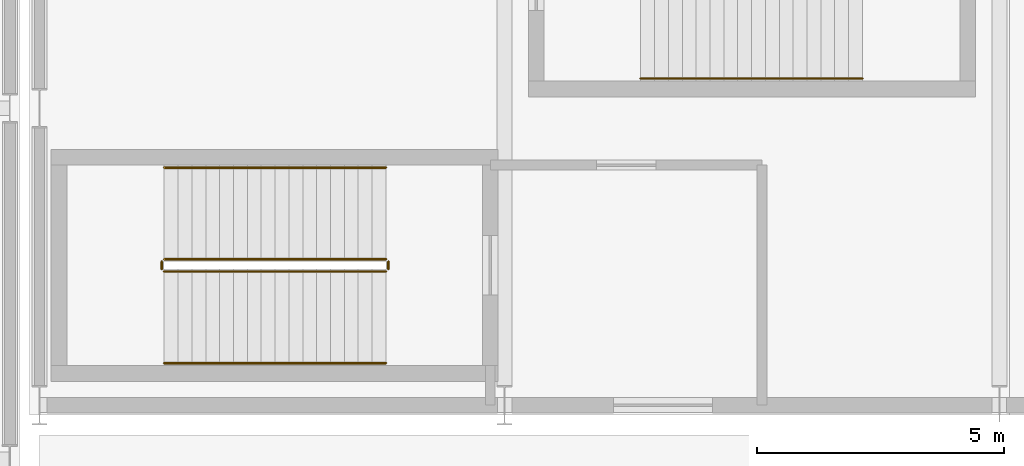
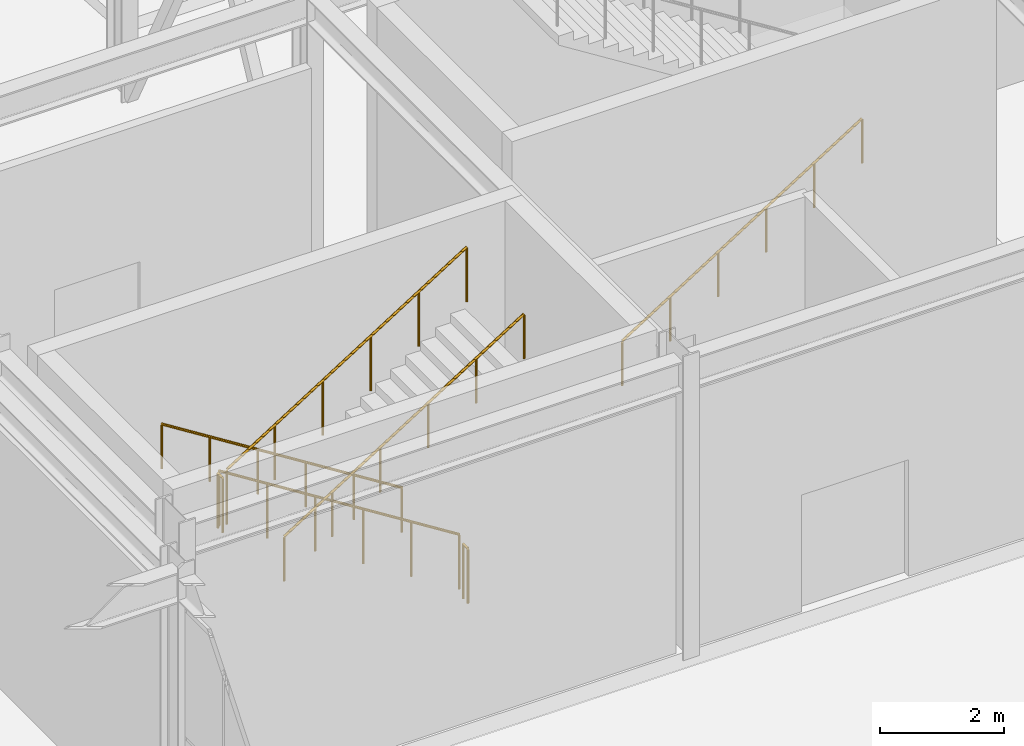
# One storey, part 142 of 146: 7 railings.
"""IFC4 building model written with IfcOpenShell, lengths in metres."""

from ifc_helpers import new_model, si_unit, direction, frame, origin, origin_2d, place, context, subcontext, project, spatial, circle, extrude, material, type_object, element, save


model = new_model("IFC4")

# Units and contexts
model_context = context("Model", 3, precision=1e-05, world=origin(), true_north=direction((0.0, 1.0)))
body_context = subcontext(model_context, "Body", "Model", "MODEL_VIEW")
ifc_project = project(units=[si_unit("LENGTHUNIT", "METRE"), si_unit("AREAUNIT", "SQUARE_METRE"), si_unit("VOLUMEUNIT", "CUBIC_METRE"), si_unit("PLANEANGLEUNIT", "RADIAN"), si_unit("MASSUNIT", "GRAM", prefix="KILO")], contexts=[model_context])

# Site, building, storey
site_placement = place(None, origin())
site = spatial("IfcSite", under=ifc_project, at=site_placement, CompositionType="ELEMENT")
building_placement = place(site_placement, origin())
building = spatial("IfcBuilding", under=site, at=building_placement, Name="Kaldris Quays Convention Centre", CompositionType="ELEMENT")
storey_placement = place(building_placement, origin())
storey = spatial("IfcBuildingStorey", under=building, at=storey_placement, Name="L00", CompositionType="ELEMENT", Elevation=0.0)

# Railings
ifc_material_1 = material(Name="Steel S355J2", Category="steel")
railing_type_1 = type_object("IfcRailingType", Name="INTERIOR GUARDRAIL GR01", PredefinedType="GUARDRAIL", material=ifc_material_1)
railing_1_placement = place(storey_placement, frame((171.60009765625, 58.949951171875, 0.176513671875)))
element("IfcRailing", 1, at=railing_1_placement, inside=storey, type_object=railing_type_1, Name="L00 ST08 Stair Guardrail 1", PredefinedType="GUARDRAIL", context=body_context, shape_type="SweptSolid", body=[
    extrude(circle(Radius=0.02392578125, at=origin_2d()), frame((0.0, 0.0, 1.076171875), z_axis=(-0.845997938375, 0.0, 0.533186166611), x_axis=(0.0, -1.0, 0.0)), (0.0, 0.0, 1.0), 5.29541015625),
    extrude(circle(Radius=0.02099609375, at=origin_2d()), origin(), (0.0, 0.0, 1.0), 1.052001953125),
    extrude(circle(Radius=0.02099609375, at=origin_2d()), frame((-0.89599609375, 0.0, 0.564697265625)), (0.0, 0.0, 1.0), 1.052001953125),
    extrude(circle(Radius=0.02099609375, at=origin_2d()), frame((-1.7919921875, 0.0, 1.12939453125)), (0.0, 0.0, 1.0), 1.052001953125),
    extrude(circle(Radius=0.02099609375, at=origin_2d()), frame((-2.68798828125, 0.0, 1.694091796875)), (0.0, 0.0, 1.0), 1.052001953125),
    extrude(circle(Radius=0.02099609375, at=origin_2d()), frame((-3.583984375, 0.0, 2.2587890625)), (0.0, 0.0, 1.0), 1.052001953125),
    extrude(circle(Radius=0.02099609375, at=origin_2d()), frame((-4.47998046875, 0.0, 2.823486328125)), (0.0, 0.0, 1.0), 1.052001953125),
])
railing_2_placement = place(storey_placement, frame((167.070068359375, 58.89990234375, 3.0)))
element("IfcRailing", 2, at=railing_2_placement, inside=storey, type_object=railing_type_1, Name="L00 ST08 Stair Guardrail 2", PredefinedType="GUARDRAIL", context=body_context, shape_type="SweptSolid", body=[
    extrude(circle(Radius=0.02392578125, at=origin_2d()), frame((0.0, 0.0, 1.076171875), z_axis=(0.0, -1.0, 0.0), x_axis=(1.0, 0.0, 0.0)), (0.0, 0.0, 1.0), 0.14990234375),
    extrude(circle(Radius=0.02099609375, at=origin_2d()), origin(), (0.0, 0.0, 1.0), 1.052001953125),
    extrude(circle(Radius=0.02099609375, at=origin_2d()), frame((0.0, -0.14990234375, 0.0)), (0.0, 0.0, 1.0), 1.052001953125),
])
railing_3_placement = place(storey_placement, frame((167.1201171875, 58.699951171875, 3.176513671875)))
element("IfcRailing", 3, at=railing_3_placement, inside=storey, type_object=railing_type_1, Name="L00 ST08 Stair Guardrail 3", PredefinedType="GUARDRAIL", context=body_context, shape_type="SweptSolid", body=[
    extrude(circle(Radius=0.02392578125, at=origin_2d()), frame((0.0, 0.0, 1.076171875), z_axis=(0.845997938375, 0.0, 0.533186166611), x_axis=(0.0, 1.0, 0.0)), (0.0, 0.0, 1.0), 5.29541015625),
    extrude(circle(Radius=0.02099609375, at=origin_2d()), origin(), (0.0, 0.0, 1.0), 1.052001953125),
    extrude(circle(Radius=0.02099609375, at=origin_2d()), frame((0.89599609375, 0.0, 0.564697265625)), (0.0, 0.0, 1.0), 1.052001953125),
    extrude(circle(Radius=0.02099609375, at=origin_2d()), frame((1.7919921875, 0.0, 1.12939453125)), (0.0, 0.0, 1.0), 1.052001953125),
    extrude(circle(Radius=0.02099609375, at=origin_2d()), frame((2.68798828125, 0.0, 1.694091796875)), (0.0, 0.0, 1.0), 1.052001953125),
    extrude(circle(Radius=0.02099609375, at=origin_2d()), frame((3.583984375, 0.0, 2.2587890625)), (0.0, 0.0, 1.0), 1.052001953125),
    extrude(circle(Radius=0.02099609375, at=origin_2d()), frame((4.47998046875, 0.0, 2.823486328125)), (0.0, 0.0, 1.0), 1.052001953125),
])
railing_4_placement = place(storey_placement, frame((171.64990234375, 58.89990234375, 0.0)))
element("IfcRailing", 4, at=railing_4_placement, inside=storey, type_object=railing_type_1, Name="L00 ST08 Stair Guardrail 4", PredefinedType="GUARDRAIL", context=body_context, shape_type="SweptSolid", body=[
    extrude(circle(Radius=0.02392578125, at=origin_2d()), frame((0.0, 0.0, 1.076171875), z_axis=(0.0, -1.0, 0.0), x_axis=(1.0, 0.0, 0.0)), (0.0, 0.0, 1.0), 0.14990234375),
    extrude(circle(Radius=0.02099609375, at=origin_2d()), origin(), (0.0, 0.0, 1.0), 1.052001953125),
    extrude(circle(Radius=0.02099609375, at=origin_2d()), frame((0.0, -0.14990234375, 0.0)), (0.0, 0.0, 1.0), 1.052001953125),
])
ifc_material_2 = material(Name="Stainless steel 1.4301", Category="steel")
railing_type_2 = type_object("IfcRailingType", Name="STAIR HANDRAIL HR01", PredefinedType="HANDRAIL", material=ifc_material_2)
railing_5_placement = place(storey_placement, frame((171.60009765625, 60.800048828125, 0.176513671875)))
element("IfcRailing", 5, at=railing_5_placement, inside=storey, type_object=railing_type_2, Name="L00 ST08 Flight Handrail 1", PredefinedType="HANDRAIL", context=body_context, shape_type="SweptSolid", body=[
    extrude(circle(Radius=0.02392578125, at=origin_2d()), frame((0.0, 0.0, 0.8759765625), z_axis=(-0.845997938375, 0.0, 0.533186166611), x_axis=(0.0, -1.0, 0.0)), (0.0, 0.0, 1.0), 5.29541015625),
    extrude(circle(Radius=0.02099609375, at=origin_2d()), origin(), (0.0, 0.0, 1.0), 0.851806640625),
    extrude(circle(Radius=0.02099609375, at=origin_2d()), frame((-0.89599609375, 0.0, 0.564697265625)), (0.0, 0.0, 1.0), 0.851806640625),
    extrude(circle(Radius=0.02099609375, at=origin_2d()), frame((-1.7919921875, 0.0, 1.12939453125)), (0.0, 0.0, 1.0), 0.851806640625),
    extrude(circle(Radius=0.02099609375, at=origin_2d()), frame((-2.68798828125, 0.0, 1.694091796875)), (0.0, 0.0, 1.0), 0.851806640625),
    extrude(circle(Radius=0.02099609375, at=origin_2d()), frame((-3.583984375, 0.0, 2.2587890625)), (0.0, 0.0, 1.0), 0.851806640625),
    extrude(circle(Radius=0.02099609375, at=origin_2d()), frame((-4.47998046875, 0.0, 2.823486328125)), (0.0, 0.0, 1.0), 0.851806640625),
])
for number, where, name in (
    (6, (167.1201171875, 56.85009765625, 3.176513671875), "L00 ST08 Flight Handrail 2"),
    (7, (176.75, 62.60009765625, 0.176513671875), "L00 ST10 Flight Handrail 1"),
):
    element("IfcRailing", number, at=place(storey_placement, frame(where)), inside=storey, type_object=railing_type_2, Name=name, PredefinedType="HANDRAIL", context=body_context, shape_type="SweptSolid", body=[
        extrude(circle(Radius=0.02392578125, at=origin_2d()), frame((0.0, 0.0, 0.8759765625), z_axis=(0.845997938375, 0.0, 0.533186166611), x_axis=(0.0, 1.0, 0.0)), (0.0, 0.0, 1.0), 5.29541015625),
        extrude(circle(Radius=0.02099609375, at=origin_2d()), origin(), (0.0, 0.0, 1.0), 0.851806640625),
        extrude(circle(Radius=0.02099609375, at=origin_2d()), frame((0.89599609375, 0.0, 0.564697265625)), (0.0, 0.0, 1.0), 0.851806640625),
        extrude(circle(Radius=0.02099609375, at=origin_2d()), frame((1.7919921875, 0.0, 1.12939453125)), (0.0, 0.0, 1.0), 0.851806640625),
        extrude(circle(Radius=0.02099609375, at=origin_2d()), frame((2.68798828125, 0.0, 1.694091796875)), (0.0, 0.0, 1.0), 0.851806640625),
        extrude(circle(Radius=0.02099609375, at=origin_2d()), frame((3.583984375, 0.0, 2.2587890625)), (0.0, 0.0, 1.0), 0.851806640625),
        extrude(circle(Radius=0.02099609375, at=origin_2d()), frame((4.47998046875, 0.0, 2.823486328125)), (0.0, 0.0, 1.0), 0.851806640625),
    ])

save(model, "model.ifc")
